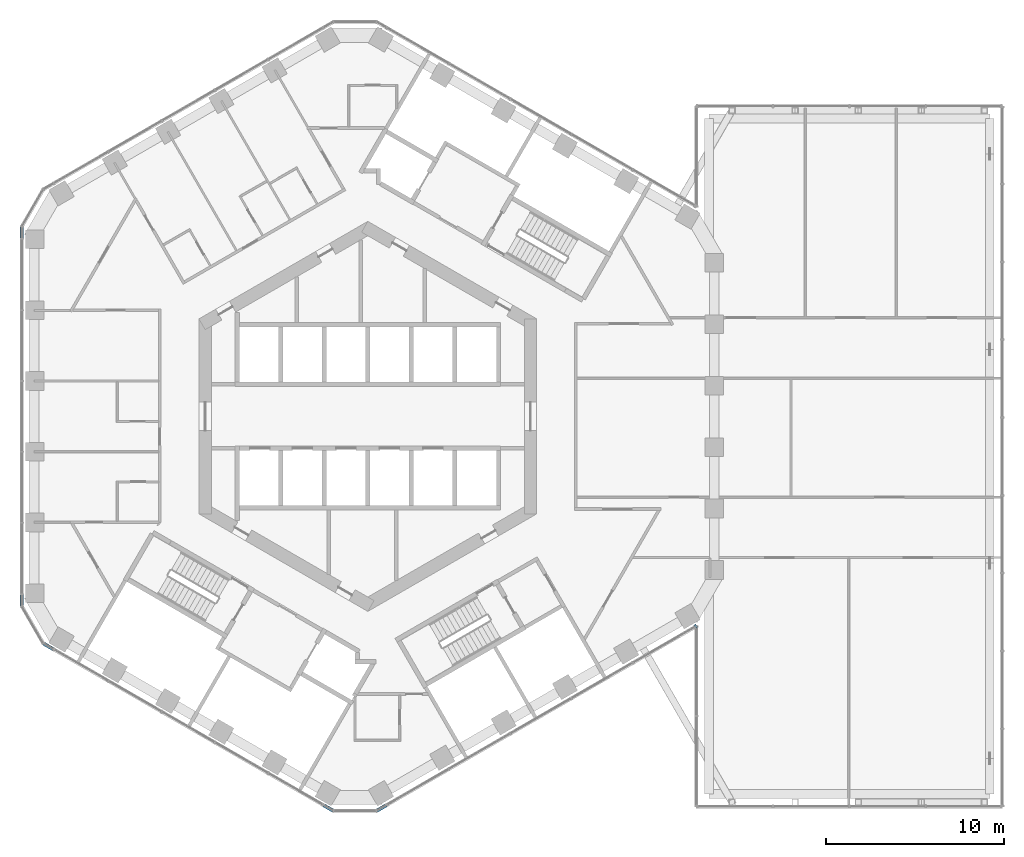
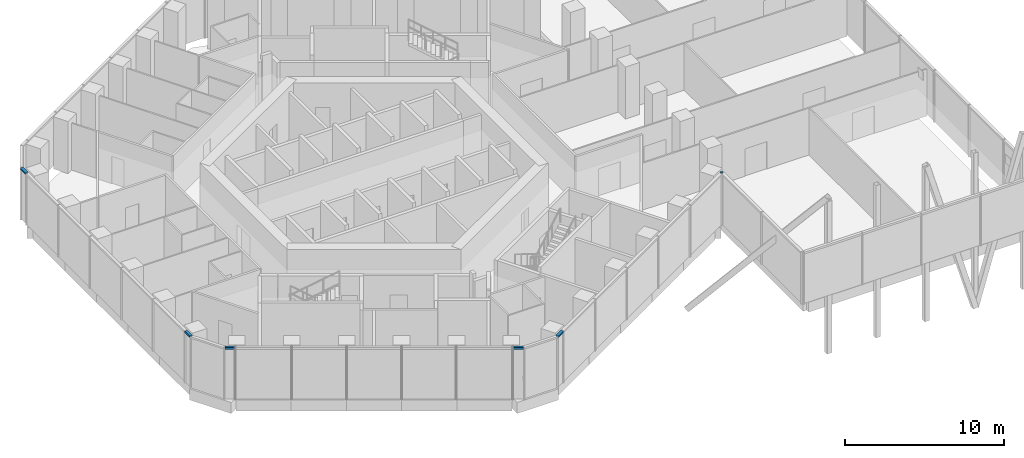
# One storey, part 10 of 24: 6 members, 4 elements without a shape of their own.
"""IFC4 building model written with IfcOpenShell, lengths in metres."""

from ifc_helpers import new_model, si_unit, direction, frame, origin, origin_2d, place, context, subcontext, project, spatial, rectangle, extrude, material, layer, layer_set, material_profile, profile_set, type_object, element, aggregate, save


model = new_model("IFC4")

# Units and contexts
model_context = context("Model", 3, precision=1e-05, world=origin(), true_north=direction((0.0, 1.0)))
body_context = subcontext(model_context, "Body", "Model", "MODEL_VIEW")
ifc_project = project(units=[si_unit("LENGTHUNIT", "METRE"), si_unit("AREAUNIT", "SQUARE_METRE"), si_unit("VOLUMEUNIT", "CUBIC_METRE"), si_unit("PLANEANGLEUNIT", "RADIAN"), si_unit("MASSUNIT", "GRAM", prefix="KILO")], contexts=[model_context])

# Site, building, storey
site_placement = place(None, origin())
site = spatial("IfcSite", under=ifc_project, at=site_placement, CompositionType="ELEMENT")
building_placement = place(site_placement, origin())
building = spatial("IfcBuilding", under=site, at=building_placement, Name="Ayvan Gate Tower", CompositionType="ELEMENT")
storey_placement = place(building_placement, frame((0.0, 0.0, 124.5)))
storey = spatial("IfcBuildingStorey", under=building, at=storey_placement, Name="L33", CompositionType="ELEMENT", Elevation=124.5)

# Curtain wall, member
ifc_material = material(Name="Bronze anodised aluminium", Category="aluminium")
ifc_layer = layer(ifc_material, 0.199951171875)
ifc_layer_set = layer_set([ifc_layer], Name="Bronze anodised aluminium")
curtain_wall_type = type_object("IfcCurtainWallType", Name="Stick curtain wall CW-6", PredefinedType="NOTDEFINED", material=ifc_layer_set)
curtain_wall_1_placement = place(storey_placement, origin())
curtain_wall_1 = element("IfcCurtainWall", 1, at=curtain_wall_1_placement, inside=storey, type_object=curtain_wall_type, Name="Stick curtain wall CW-6 L33", PredefinedType="NOTDEFINED")
ifc_material_profile = material_profile(ifc_material, rectangle(XDim=0.199951171875, YDim=0.1201171875, at=origin_2d()), Name="Stick curtain wall CW-6 transom 200 x 120")
ifc_profile_set = profile_set([ifc_material_profile], Name="Bronze anodised aluminium")
member_type = type_object("IfcMemberType", Name="Stick curtain wall CW-6 transom 200 x 120", PredefinedType="USERDEFINED", material=ifc_profile_set)
member_1_placement = place(storey_placement, frame((-19.462890625, 10.65234375, 3.93994140625), z_axis=(0.0, -1.0, 0.0), x_axis=(1.0, 0.0, 0.0)))
member_1 = element("IfcMember", 2, at=member_1_placement, type_object=member_type, Name="CW-6 transom 3", ObjectType="TRANSOM", PredefinedType="USERDEFINED", context=body_context, shape_type="SweptSolid", body=[
    extrude(rectangle(XDim=0.199951171875, YDim=0.1201171875, at=origin_2d()), origin(), (0.0, 0.0, 1.0), 0.625),
])
aggregate(curtain_wall_1, [member_1])

# Curtain wall, members
curtain_wall_2_placement = place(storey_placement, origin())
curtain_wall_2 = element("IfcCurtainWall", 3, at=curtain_wall_2_placement, inside=storey, type_object=curtain_wall_type, Name="Stick curtain wall CW-6 L33", PredefinedType="NOTDEFINED")
member_2_placement = place(storey_placement, frame((-19.462890625, -10.02734375, 3.93994140625), z_axis=(0.0, -1.0, 0.0), x_axis=(1.0, 0.0, 0.0)))
member_2 = element("IfcMember", 4, at=member_2_placement, type_object=member_type, Name="CW-6 transom 1", ObjectType="TRANSOM", PredefinedType="USERDEFINED", context=body_context, shape_type="SweptSolid", body=[
    extrude(rectangle(XDim=0.199951171875, YDim=0.1201171875, at=origin_2d()), origin(), (0.0, 0.0, 1.0), 0.625),
])
member_3_placement = place(storey_placement, frame((-18.23388671875, -12.78076171875, 3.93994140625), z_axis=(0.866022959057, -0.500004234368, 0.0), x_axis=(0.500004234368, 0.866022959057, 0.0)))
member_3 = element("IfcMember", 5, at=member_3_placement, type_object=member_type, Name="CW-6 transom 3", ObjectType="TRANSOM", PredefinedType="USERDEFINED", context=body_context, shape_type="SweptSolid", body=[
    extrude(rectangle(XDim=0.199951171875, YDim=0.1201171875, at=origin_2d()), origin(), (0.0, 0.0, 1.0), 0.625),
])
aggregate(curtain_wall_2, [member_2, member_3])

curtain_wall_3_placement = place(storey_placement, origin())
curtain_wall_3 = element("IfcCurtainWall", 6, at=curtain_wall_3_placement, inside=storey, type_object=curtain_wall_type, Name="Stick curtain wall CW-6 L33", PredefinedType="NOTDEFINED")
member_4_placement = place(storey_placement, frame((-2.492919921875, -21.869140625, 3.93994140625), z_axis=(0.866022959057, -0.500004234368, 0.0), x_axis=(0.500004234368, 0.866022959057, 0.0)))
member_4 = element("IfcMember", 7, at=member_4_placement, type_object=member_type, Name="CW-6 transom 1", ObjectType="TRANSOM", PredefinedType="USERDEFINED", context=body_context, shape_type="SweptSolid", body=[
    extrude(rectangle(XDim=0.199951171875, YDim=0.1201171875, at=origin_2d()), origin(), (0.0, 0.0, 1.0), 0.625),
])
member_5_placement = place(storey_placement, frame((0.50634765625, -22.181640625, 3.93994140625), z_axis=(0.866022959057, 0.500004234368, 0.0), x_axis=(-0.500004234368, 0.866022959057, 0.0)))
member_5 = element("IfcMember", 8, at=member_5_placement, type_object=member_type, Name="CW-6 transom 3", ObjectType="TRANSOM", PredefinedType="USERDEFINED", context=body_context, shape_type="SweptSolid", body=[
    extrude(rectangle(XDim=0.199951171875, YDim=0.1201171875, at=origin_2d()), origin(), (0.0, 0.0, 1.0), 0.625),
])
aggregate(curtain_wall_3, [member_4, member_5])

# Curtain wall, member
curtain_wall_4_placement = place(storey_placement, origin())
curtain_wall_4 = element("IfcCurtainWall", 9, at=curtain_wall_4_placement, inside=storey, type_object=curtain_wall_type, Name="Stick curtain wall CW-6 L33", PredefinedType="NOTDEFINED")
member_6_placement = place(storey_placement, frame((18.415283203125, -11.841796875, 3.93994140625), z_axis=(0.707106781187, 0.707106781187, 0.0), x_axis=(-0.707106781187, 0.707106781187, 0.0)))
member_6 = element("IfcMember", 10, at=member_6_placement, type_object=member_type, Name="CW-6 transom 1", ObjectType="TRANSOM", PredefinedType="USERDEFINED", context=body_context, shape_type="SweptSolid", body=[
    extrude(rectangle(XDim=0.199951171875, YDim=0.1201171875, at=origin_2d()), origin(), (0.0, 0.0, 1.0), 0.099365234375),
])
aggregate(curtain_wall_4, [member_6])

save(model, "model.ifc")
